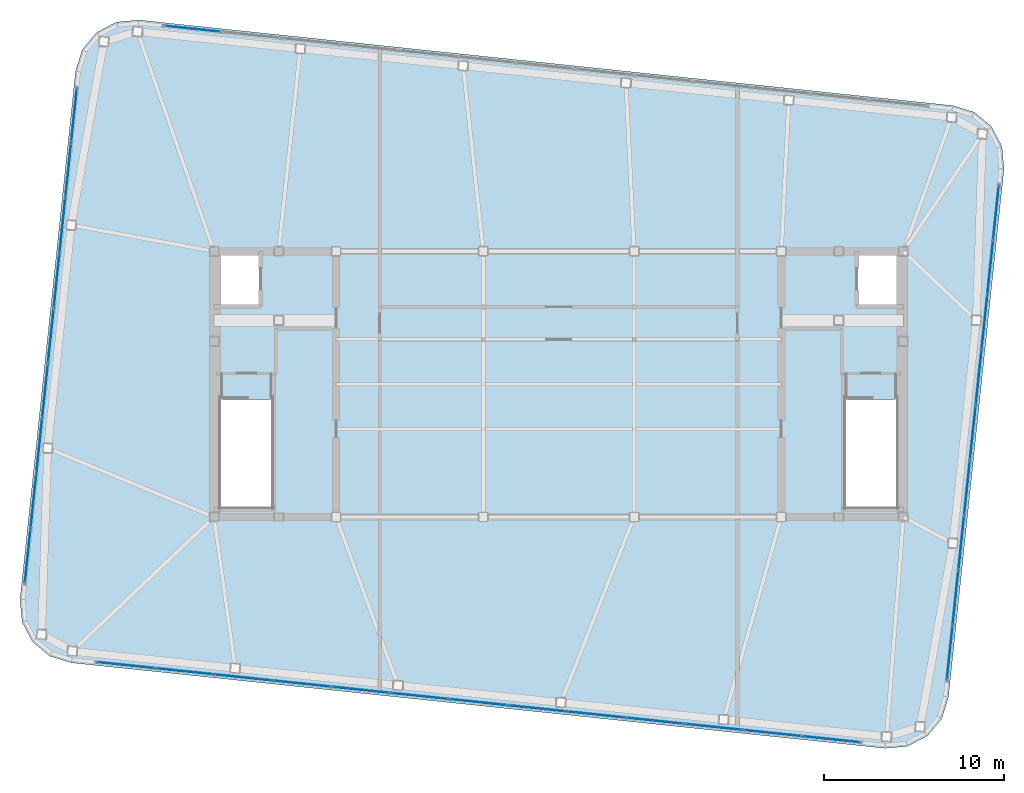
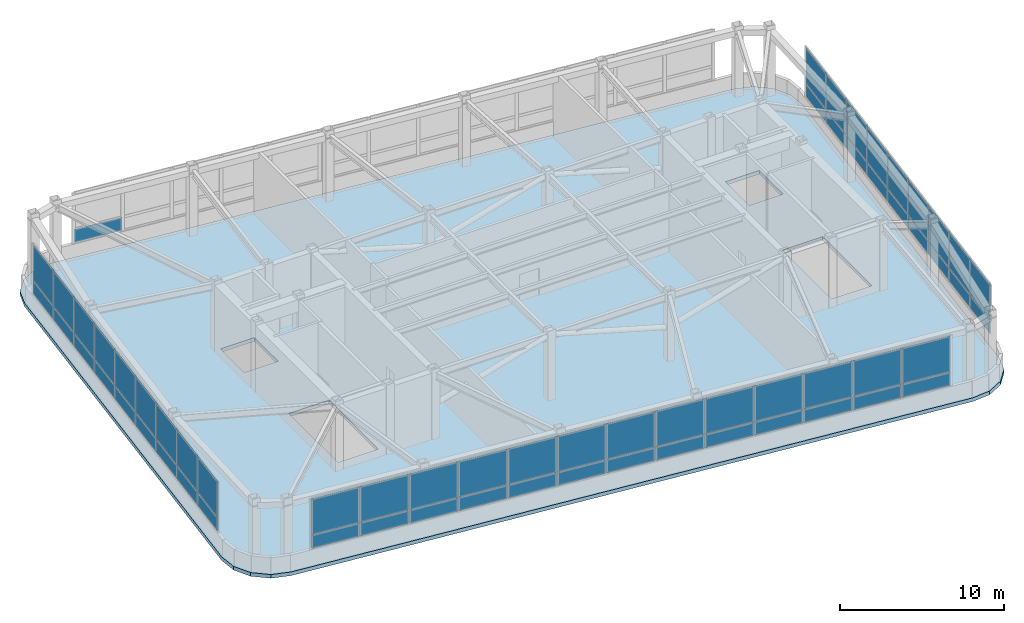
# One storey, part 18 of 21: 63 plates, 1 slab, 4 elements without a shape of their own.
"""IFC4 building model written with IfcOpenShell, lengths in metres."""

from ifc_helpers import new_model, si_unit, direction, frame, origin, origin_2d, place, context, subcontext, project, spatial, polyline, rectangle, outline, extrude, material, layer, layer_set, type_object, element, aggregate, save


model = new_model("IFC4")

# Units and contexts
model_context = context("Model", 3, precision=1e-05, world=origin(), true_north=direction((0.0, 1.0)))
body_context = subcontext(model_context, "Body", "Model", "MODEL_VIEW")
ifc_project = project(units=[si_unit("LENGTHUNIT", "METRE"), si_unit("AREAUNIT", "SQUARE_METRE"), si_unit("VOLUMEUNIT", "CUBIC_METRE"), si_unit("PLANEANGLEUNIT", "RADIAN"), si_unit("MASSUNIT", "GRAM", prefix="KILO")], contexts=[model_context])

# Site, building, storey
site_placement = place(None, origin())
site = spatial("IfcSite", under=ifc_project, at=site_placement, CompositionType="ELEMENT")
building_placement = place(site_placement, origin())
building = spatial("IfcBuilding", under=site, at=building_placement, Name="Voryun Gate Residences", CompositionType="ELEMENT")
storey_placement = place(building_placement, frame((0.0, 0.0, 337.199951171875)))
storey = spatial("IfcBuildingStorey", under=building, at=storey_placement, Name="L82", CompositionType="ELEMENT", Elevation=337.199951171875)

# Curtain wall, plates
ifc_material_1 = material(Name="Anodised aluminium", Category="aluminium")
ifc_layer_1 = layer(ifc_material_1, 0.22998046875, Name="CW_SYS_LANTERN_DARK_GLASS")
ifc_layer_set_1 = layer_set([ifc_layer_1], Name="Anodised aluminium")
curtain_wall_type = type_object("IfcCurtainWallType", Name="CW_SYS_LANTERN_DARK_GLASS", PredefinedType="NOTDEFINED", material=ifc_layer_set_1)
curtain_wall_1_placement = place(storey_placement, origin())
curtain_wall_1 = element("IfcCurtainWall", 1, at=curtain_wall_1_placement, inside=storey, type_object=curtain_wall_type, Name="Curtain wall CW6-L82-01", PredefinedType="NOTDEFINED")
ifc_material_2 = material(Name="Fritted lantern glass", Category="glass")
ifc_layer_2 = layer(ifc_material_2, 0.050048828125, Name="PLT_GLASS_FRIT_LANTERN")
ifc_layer_set_2 = layer_set([ifc_layer_2], Name="Fritted lantern glass")
plate_type = type_object("IfcPlateType", Name="PLT_GLASS_FRIT_LANTERN", PredefinedType="CURTAIN_PANEL", material=ifc_layer_set_2)
plate_1_placement = place(storey_placement, frame((15.18212890625, -19.787109375, 1.25), z_axis=(0.0, 0.0, 1.0), x_axis=(-0.994521969434, 0.10452775858, 0.0)))
plate_1 = element("IfcPlate", 2, at=plate_1_placement, type_object=plate_type, Name="CW6 panel 1.1", PredefinedType="CURTAIN_PANEL", context=body_context, shape_type="SweptSolid", body=[
    extrude(rectangle(XDim=3.20458984375, YDim=0.028076171875, at=origin_2d()), origin(), (0.0, 0.0, 1.0), 0.9599609375),
])
plate_2_placement = place(storey_placement, frame((15.18212890625, -19.787109375, 2.27001953125), z_axis=(0.0, 0.0, 1.0), x_axis=(-0.994521969434, 0.10452775858, 0.0)))
plate_2 = element("IfcPlate", 3, at=plate_2_placement, type_object=plate_type, Name="CW6 panel 1.2", PredefinedType="CURTAIN_PANEL", context=body_context, shape_type="SweptSolid", body=[
    extrude(rectangle(XDim=3.20458984375, YDim=0.028076171875, at=origin_2d()), origin(), (0.0, 0.0, 1.0), 2.6298828125),
])
plate_3_placement = place(storey_placement, frame((11.92041015625, -19.4443359375, 1.25), z_axis=(0.0, 0.0, 1.0), x_axis=(-0.994521969434, 0.10452775858, 0.0)))
plate_3 = element("IfcPlate", 4, at=plate_3_placement, type_object=plate_type, Name="CW6 panel 2.1", PredefinedType="CURTAIN_PANEL", context=body_context, shape_type="SweptSolid", body=[
    extrude(rectangle(XDim=3.234619140625, YDim=0.028076171875, at=origin_2d()), origin(), (0.0, 0.0, 1.0), 0.9599609375),
])
plate_4_placement = place(storey_placement, frame((11.92041015625, -19.4443359375, 2.27001953125), z_axis=(0.0, 0.0, 1.0), x_axis=(-0.994521969434, 0.10452775858, 0.0)))
plate_4 = element("IfcPlate", 5, at=plate_4_placement, type_object=plate_type, Name="CW6 panel 2.2", PredefinedType="CURTAIN_PANEL", context=body_context, shape_type="SweptSolid", body=[
    extrude(rectangle(XDim=3.234619140625, YDim=0.028076171875, at=origin_2d()), origin(), (0.0, 0.0, 1.0), 2.6298828125),
])
plate_5_placement = place(storey_placement, frame((8.643798828125, -19.099853515625, 1.25), z_axis=(0.0, 0.0, 1.0), x_axis=(-0.994521969434, 0.10452775858, 0.0)))
plate_5 = element("IfcPlate", 6, at=plate_5_placement, type_object=plate_type, Name="CW6 panel 3.1", PredefinedType="CURTAIN_PANEL", context=body_context, shape_type="SweptSolid", body=[
    extrude(rectangle(XDim=3.234619140625, YDim=0.028076171875, at=origin_2d()), origin(), (0.0, 0.0, 1.0), 0.9599609375),
])
plate_6_placement = place(storey_placement, frame((8.643798828125, -19.099853515625, 2.27001953125), z_axis=(0.0, 0.0, 1.0), x_axis=(-0.994521969434, 0.10452775858, 0.0)))
plate_6 = element("IfcPlate", 7, at=plate_6_placement, type_object=plate_type, Name="CW6 panel 3.2", PredefinedType="CURTAIN_PANEL", context=body_context, shape_type="SweptSolid", body=[
    extrude(rectangle(XDim=3.234619140625, YDim=0.028076171875, at=origin_2d()), origin(), (0.0, 0.0, 1.0), 2.6298828125),
])
plate_7_placement = place(storey_placement, frame((5.3671875, -18.755615234375, 1.25), z_axis=(0.0, 0.0, 1.0), x_axis=(-0.994521969434, 0.10452775858, 0.0)))
plate_7 = element("IfcPlate", 8, at=plate_7_placement, type_object=plate_type, Name="CW6 panel 4.1", PredefinedType="CURTAIN_PANEL", context=body_context, shape_type="SweptSolid", body=[
    extrude(rectangle(XDim=3.234619140625, YDim=0.028076171875, at=origin_2d()), origin(), (0.0, 0.0, 1.0), 0.9599609375),
])
plate_8_placement = place(storey_placement, frame((5.3671875, -18.755615234375, 2.27001953125), z_axis=(0.0, 0.0, 1.0), x_axis=(-0.994521969434, 0.10452775858, 0.0)))
plate_8 = element("IfcPlate", 9, at=plate_8_placement, type_object=plate_type, Name="CW6 panel 4.2", PredefinedType="CURTAIN_PANEL", context=body_context, shape_type="SweptSolid", body=[
    extrude(rectangle(XDim=3.234619140625, YDim=0.028076171875, at=origin_2d()), origin(), (0.0, 0.0, 1.0), 2.6298828125),
])
plate_9_placement = place(storey_placement, frame((2.090576171875, -18.4111328125, 1.25), z_axis=(0.0, 0.0, 1.0), x_axis=(-0.994521969434, 0.10452775858, 0.0)))
plate_9 = element("IfcPlate", 10, at=plate_9_placement, type_object=plate_type, Name="CW6 panel 5.1", PredefinedType="CURTAIN_PANEL", context=body_context, shape_type="SweptSolid", body=[
    extrude(rectangle(XDim=3.234619140625, YDim=0.028076171875, at=origin_2d()), origin(), (0.0, 0.0, 1.0), 0.9599609375),
])
plate_10_placement = place(storey_placement, frame((2.090576171875, -18.4111328125, 2.27001953125), z_axis=(0.0, 0.0, 1.0), x_axis=(-0.994521969434, 0.10452775858, 0.0)))
plate_10 = element("IfcPlate", 11, at=plate_10_placement, type_object=plate_type, Name="CW6 panel 5.2", PredefinedType="CURTAIN_PANEL", context=body_context, shape_type="SweptSolid", body=[
    extrude(rectangle(XDim=3.234619140625, YDim=0.028076171875, at=origin_2d()), origin(), (0.0, 0.0, 1.0), 2.6298828125),
])
plate_11_placement = place(storey_placement, frame((-1.18603515625, -18.06689453125, 1.25), z_axis=(0.0, 0.0, 1.0), x_axis=(-0.994521969434, 0.10452775858, 0.0)))
plate_11 = element("IfcPlate", 12, at=plate_11_placement, type_object=plate_type, Name="CW6 panel 6.1", PredefinedType="CURTAIN_PANEL", context=body_context, shape_type="SweptSolid", body=[
    extrude(rectangle(XDim=3.234619140625, YDim=0.028076171875, at=origin_2d()), origin(), (0.0, 0.0, 1.0), 0.9599609375),
])
plate_12_placement = place(storey_placement, frame((-1.18603515625, -18.06689453125, 2.27001953125), z_axis=(0.0, 0.0, 1.0), x_axis=(-0.994521969434, 0.10452775858, 0.0)))
plate_12 = element("IfcPlate", 13, at=plate_12_placement, type_object=plate_type, Name="CW6 panel 6.2", PredefinedType="CURTAIN_PANEL", context=body_context, shape_type="SweptSolid", body=[
    extrude(rectangle(XDim=3.234619140625, YDim=0.028076171875, at=origin_2d()), origin(), (0.0, 0.0, 1.0), 2.6298828125),
])
plate_13_placement = place(storey_placement, frame((-4.462646484375, -17.722412109375, 1.25), z_axis=(0.0, 0.0, 1.0), x_axis=(-0.994521969434, 0.10452775858, 0.0)))
plate_13 = element("IfcPlate", 14, at=plate_13_placement, type_object=plate_type, Name="CW6 panel 7.1", PredefinedType="CURTAIN_PANEL", context=body_context, shape_type="SweptSolid", body=[
    extrude(rectangle(XDim=3.234619140625, YDim=0.028076171875, at=origin_2d()), origin(), (0.0, 0.0, 1.0), 0.9599609375),
])
plate_14_placement = place(storey_placement, frame((-4.462646484375, -17.722412109375, 2.27001953125), z_axis=(0.0, 0.0, 1.0), x_axis=(-0.994521969434, 0.10452775858, 0.0)))
plate_14 = element("IfcPlate", 15, at=plate_14_placement, type_object=plate_type, Name="CW6 panel 7.2", PredefinedType="CURTAIN_PANEL", context=body_context, shape_type="SweptSolid", body=[
    extrude(rectangle(XDim=3.234619140625, YDim=0.028076171875, at=origin_2d()), origin(), (0.0, 0.0, 1.0), 2.6298828125),
])
plate_15_placement = place(storey_placement, frame((-7.7392578125, -17.3779296875, 1.25), z_axis=(0.0, 0.0, 1.0), x_axis=(-0.994521969434, 0.10452775858, 0.0)))
plate_15 = element("IfcPlate", 16, at=plate_15_placement, type_object=plate_type, Name="CW6 panel 8.1", PredefinedType="CURTAIN_PANEL", context=body_context, shape_type="SweptSolid", body=[
    extrude(rectangle(XDim=3.234619140625, YDim=0.028076171875, at=origin_2d()), origin(), (0.0, 0.0, 1.0), 0.9599609375),
])
plate_16_placement = place(storey_placement, frame((-7.7392578125, -17.3779296875, 2.27001953125), z_axis=(0.0, 0.0, 1.0), x_axis=(-0.994521969434, 0.10452775858, 0.0)))
plate_16 = element("IfcPlate", 17, at=plate_16_placement, type_object=plate_type, Name="CW6 panel 8.2", PredefinedType="CURTAIN_PANEL", context=body_context, shape_type="SweptSolid", body=[
    extrude(rectangle(XDim=3.234619140625, YDim=0.028076171875, at=origin_2d()), origin(), (0.0, 0.0, 1.0), 2.6298828125),
])
plate_17_placement = place(storey_placement, frame((-11.015869140625, -17.03369140625, 1.25), z_axis=(0.0, 0.0, 1.0), x_axis=(-0.994521969434, 0.10452775858, 0.0)))
plate_17 = element("IfcPlate", 18, at=plate_17_placement, type_object=plate_type, Name="CW6 panel 9.1", PredefinedType="CURTAIN_PANEL", context=body_context, shape_type="SweptSolid", body=[
    extrude(rectangle(XDim=3.234619140625, YDim=0.028076171875, at=origin_2d()), origin(), (0.0, 0.0, 1.0), 0.9599609375),
])
plate_18_placement = place(storey_placement, frame((-11.015869140625, -17.03369140625, 2.27001953125), z_axis=(0.0, 0.0, 1.0), x_axis=(-0.994521969434, 0.10452775858, 0.0)))
plate_18 = element("IfcPlate", 19, at=plate_18_placement, type_object=plate_type, Name="CW6 panel 9.2", PredefinedType="CURTAIN_PANEL", context=body_context, shape_type="SweptSolid", body=[
    extrude(rectangle(XDim=3.234619140625, YDim=0.028076171875, at=origin_2d()), origin(), (0.0, 0.0, 1.0), 2.6298828125),
])
plate_19_placement = place(storey_placement, frame((-14.29248046875, -16.689208984375, 1.25), z_axis=(0.0, 0.0, 1.0), x_axis=(-0.994521969434, 0.10452775858, 0.0)))
plate_19 = element("IfcPlate", 20, at=plate_19_placement, type_object=plate_type, Name="CW6 panel 10.1", PredefinedType="CURTAIN_PANEL", context=body_context, shape_type="SweptSolid", body=[
    extrude(rectangle(XDim=3.234619140625, YDim=0.028076171875, at=origin_2d()), origin(), (0.0, 0.0, 1.0), 0.9599609375),
])
plate_20_placement = place(storey_placement, frame((-14.29248046875, -16.689208984375, 2.27001953125), z_axis=(0.0, 0.0, 1.0), x_axis=(-0.994521969434, 0.10452775858, 0.0)))
plate_20 = element("IfcPlate", 21, at=plate_20_placement, type_object=plate_type, Name="CW6 panel 10.2", PredefinedType="CURTAIN_PANEL", context=body_context, shape_type="SweptSolid", body=[
    extrude(rectangle(XDim=3.234619140625, YDim=0.028076171875, at=origin_2d()), origin(), (0.0, 0.0, 1.0), 2.6298828125),
])
plate_21_placement = place(storey_placement, frame((-17.569091796875, -16.344970703125, 1.25), z_axis=(0.0, 0.0, 1.0), x_axis=(-0.994521969434, 0.10452775858, 0.0)))
plate_21 = element("IfcPlate", 22, at=plate_21_placement, type_object=plate_type, Name="CW6 panel 11.1", PredefinedType="CURTAIN_PANEL", context=body_context, shape_type="SweptSolid", body=[
    extrude(rectangle(XDim=3.234619140625, YDim=0.028076171875, at=origin_2d()), origin(), (0.0, 0.0, 1.0), 0.9599609375),
])
plate_22_placement = place(storey_placement, frame((-17.569091796875, -16.344970703125, 2.27001953125), z_axis=(0.0, 0.0, 1.0), x_axis=(-0.994521969434, 0.10452775858, 0.0)))
plate_22 = element("IfcPlate", 23, at=plate_22_placement, type_object=plate_type, Name="CW6 panel 11.2", PredefinedType="CURTAIN_PANEL", context=body_context, shape_type="SweptSolid", body=[
    extrude(rectangle(XDim=3.234619140625, YDim=0.028076171875, at=origin_2d()), origin(), (0.0, 0.0, 1.0), 2.6298828125),
])
plate_23_placement = place(storey_placement, frame((-20.845703125, -16.00048828125, 1.25), z_axis=(0.0, 0.0, 1.0), x_axis=(-0.994521969434, 0.10452775858, 0.0)))
plate_23 = element("IfcPlate", 24, at=plate_23_placement, type_object=plate_type, Name="CW6 panel 12.1", PredefinedType="CURTAIN_PANEL", context=body_context, shape_type="SweptSolid", body=[
    extrude(rectangle(XDim=3.234619140625, YDim=0.028076171875, at=origin_2d()), origin(), (0.0, 0.0, 1.0), 0.9599609375),
])
plate_24_placement = place(storey_placement, frame((-20.845703125, -16.00048828125, 2.27001953125), z_axis=(0.0, 0.0, 1.0), x_axis=(-0.994521969434, 0.10452775858, 0.0)))
plate_24 = element("IfcPlate", 25, at=plate_24_placement, type_object=plate_type, Name="CW6 panel 12.2", PredefinedType="CURTAIN_PANEL", context=body_context, shape_type="SweptSolid", body=[
    extrude(rectangle(XDim=3.234619140625, YDim=0.028076171875, at=origin_2d()), origin(), (0.0, 0.0, 1.0), 2.6298828125),
])
plate_25_placement = place(storey_placement, frame((-24.107421875, -15.65771484375, 1.25), z_axis=(0.0, 0.0, 1.0), x_axis=(-0.994521969434, 0.10452775858, 0.0)))
plate_25 = element("IfcPlate", 26, at=plate_25_placement, type_object=plate_type, Name="CW6 panel 13.1", PredefinedType="CURTAIN_PANEL", context=body_context, shape_type="SweptSolid", body=[
    extrude(rectangle(XDim=3.20458984375, YDim=0.028076171875, at=origin_2d()), origin(), (0.0, 0.0, 1.0), 0.9599609375),
])
plate_26_placement = place(storey_placement, frame((-24.107421875, -15.65771484375, 2.27001953125), z_axis=(0.0, 0.0, 1.0), x_axis=(-0.994521969434, 0.10452775858, 0.0)))
plate_26 = element("IfcPlate", 27, at=plate_26_placement, type_object=plate_type, Name="CW6 panel 13.2", PredefinedType="CURTAIN_PANEL", context=body_context, shape_type="SweptSolid", body=[
    extrude(rectangle(XDim=3.20458984375, YDim=0.028076171875, at=origin_2d()), origin(), (0.0, 0.0, 1.0), 2.6298828125),
])
aggregate(curtain_wall_1, [plate_1, plate_2, plate_3, plate_4, plate_5, plate_6, plate_7, plate_8, plate_9, plate_10, plate_11, plate_12, plate_13, plate_14, plate_15, plate_16, plate_17, plate_18, plate_19, plate_20, plate_21, plate_22, plate_23, plate_24, plate_25, plate_26])

curtain_wall_2_placement = place(storey_placement, origin())
curtain_wall_2 = element("IfcCurtainWall", 28, at=curtain_wall_2_placement, inside=storey, type_object=curtain_wall_type, Name="Curtain wall CW6-L82-06", PredefinedType="NOTDEFINED")
plate_27_placement = place(storey_placement, frame((-29.568115234375, -9.56982421875, 1.25), z_axis=(0.0, 0.0, 1.0), x_axis=(0.104528004296, 0.994521943608, 0.0)))
plate_27 = element("IfcPlate", 29, at=plate_27_placement, type_object=plate_type, Name="CW6 panel 1.1", PredefinedType="CURTAIN_PANEL", context=body_context, shape_type="SweptSolid", body=[
    extrude(rectangle(XDim=2.997802734375, YDim=0.028076171875, at=origin_2d()), origin(), (0.0, 0.0, 1.0), 0.9599609375),
])
plate_28_placement = place(storey_placement, frame((-29.568115234375, -9.56982421875, 2.27001953125), z_axis=(0.0, 0.0, 1.0), x_axis=(0.104528004296, 0.994521943608, 0.0)))
plate_28 = element("IfcPlate", 30, at=plate_28_placement, type_object=plate_type, Name="CW6 panel 1.2", PredefinedType="CURTAIN_PANEL", context=body_context, shape_type="SweptSolid", body=[
    extrude(rectangle(XDim=2.997802734375, YDim=0.028076171875, at=origin_2d()), origin(), (0.0, 0.0, 1.0), 2.6298828125),
])
plate_29_placement = place(storey_placement, frame((-29.246826171875, -6.513916015625, 1.25), z_axis=(0.0, 0.0, 1.0), x_axis=(0.104528004296, 0.994521943608, 0.0)))
plate_29 = element("IfcPlate", 31, at=plate_29_placement, type_object=plate_type, Name="CW6 panel 2.1", PredefinedType="CURTAIN_PANEL", context=body_context, shape_type="SweptSolid", body=[
    extrude(rectangle(XDim=3.02783203125, YDim=0.028076171875, at=origin_2d()), origin(), (0.0, 0.0, 1.0), 0.9599609375),
])
plate_30_placement = place(storey_placement, frame((-29.246826171875, -6.513916015625, 2.27001953125), z_axis=(0.0, 0.0, 1.0), x_axis=(0.104528004296, 0.994521943608, 0.0)))
plate_30 = element("IfcPlate", 32, at=plate_30_placement, type_object=plate_type, Name="CW6 panel 2.2", PredefinedType="CURTAIN_PANEL", context=body_context, shape_type="SweptSolid", body=[
    extrude(rectangle(XDim=3.02783203125, YDim=0.028076171875, at=origin_2d()), origin(), (0.0, 0.0, 1.0), 2.6298828125),
])
plate_31_placement = place(storey_placement, frame((-28.924072265625, -3.44287109375, 1.25), z_axis=(0.0, 0.0, 1.0), x_axis=(0.104528004296, 0.994521943608, 0.0)))
plate_31 = element("IfcPlate", 33, at=plate_31_placement, type_object=plate_type, Name="CW6 panel 3.1", PredefinedType="CURTAIN_PANEL", context=body_context, shape_type="SweptSolid", body=[
    extrude(rectangle(XDim=3.02783203125, YDim=0.028076171875, at=origin_2d()), origin(), (0.0, 0.0, 1.0), 0.9599609375),
])
plate_32_placement = place(storey_placement, frame((-28.924072265625, -3.44287109375, 2.27001953125), z_axis=(0.0, 0.0, 1.0), x_axis=(0.104528004296, 0.994521943608, 0.0)))
plate_32 = element("IfcPlate", 34, at=plate_32_placement, type_object=plate_type, Name="CW6 panel 3.2", PredefinedType="CURTAIN_PANEL", context=body_context, shape_type="SweptSolid", body=[
    extrude(rectangle(XDim=3.02783203125, YDim=0.028076171875, at=origin_2d()), origin(), (0.0, 0.0, 1.0), 2.6298828125),
])
plate_33_placement = place(storey_placement, frame((-28.601318359375, -0.3720703125, 1.25), z_axis=(0.0, 0.0, 1.0), x_axis=(0.104528004296, 0.994521943608, 0.0)))
plate_33 = element("IfcPlate", 35, at=plate_33_placement, type_object=plate_type, Name="CW6 panel 4.1", PredefinedType="CURTAIN_PANEL", context=body_context, shape_type="SweptSolid", body=[
    extrude(rectangle(XDim=3.02783203125, YDim=0.028076171875, at=origin_2d()), origin(), (0.0, 0.0, 1.0), 0.9599609375),
])
plate_34_placement = place(storey_placement, frame((-28.601318359375, -0.3720703125, 2.27001953125), z_axis=(0.0, 0.0, 1.0), x_axis=(0.104528004296, 0.994521943608, 0.0)))
plate_34 = element("IfcPlate", 36, at=plate_34_placement, type_object=plate_type, Name="CW6 panel 4.2", PredefinedType="CURTAIN_PANEL", context=body_context, shape_type="SweptSolid", body=[
    extrude(rectangle(XDim=3.02783203125, YDim=0.028076171875, at=origin_2d()), origin(), (0.0, 0.0, 1.0), 2.6298828125),
])
plate_35_placement = place(storey_placement, frame((-28.278564453125, 2.698974609375, 1.25), z_axis=(0.0, 0.0, 1.0), x_axis=(0.104528004296, 0.994521943608, 0.0)))
plate_35 = element("IfcPlate", 37, at=plate_35_placement, type_object=plate_type, Name="CW6 panel 5.1", PredefinedType="CURTAIN_PANEL", context=body_context, shape_type="SweptSolid", body=[
    extrude(rectangle(XDim=3.02783203125, YDim=0.028076171875, at=origin_2d()), origin(), (0.0, 0.0, 1.0), 0.9599609375),
])
plate_36_placement = place(storey_placement, frame((-28.278564453125, 2.698974609375, 2.27001953125), z_axis=(0.0, 0.0, 1.0), x_axis=(0.104528004296, 0.994521943608, 0.0)))
plate_36 = element("IfcPlate", 38, at=plate_36_placement, type_object=plate_type, Name="CW6 panel 5.2", PredefinedType="CURTAIN_PANEL", context=body_context, shape_type="SweptSolid", body=[
    extrude(rectangle(XDim=3.02783203125, YDim=0.028076171875, at=origin_2d()), origin(), (0.0, 0.0, 1.0), 2.6298828125),
])
plate_37_placement = place(storey_placement, frame((-27.955810546875, 5.769775390625, 1.25), z_axis=(0.0, 0.0, 1.0), x_axis=(0.104528004296, 0.994521943608, 0.0)))
plate_37 = element("IfcPlate", 39, at=plate_37_placement, type_object=plate_type, Name="CW6 panel 6.1", PredefinedType="CURTAIN_PANEL", context=body_context, shape_type="SweptSolid", body=[
    extrude(rectangle(XDim=3.02783203125, YDim=0.028076171875, at=origin_2d()), origin(), (0.0, 0.0, 1.0), 0.9599609375),
])
plate_38_placement = place(storey_placement, frame((-27.955810546875, 5.769775390625, 2.27001953125), z_axis=(0.0, 0.0, 1.0), x_axis=(0.104528004296, 0.994521943608, 0.0)))
plate_38 = element("IfcPlate", 40, at=plate_38_placement, type_object=plate_type, Name="CW6 panel 6.2", PredefinedType="CURTAIN_PANEL", context=body_context, shape_type="SweptSolid", body=[
    extrude(rectangle(XDim=3.02783203125, YDim=0.028076171875, at=origin_2d()), origin(), (0.0, 0.0, 1.0), 2.6298828125),
])
plate_39_placement = place(storey_placement, frame((-27.633056640625, 8.8408203125, 1.25), z_axis=(0.0, 0.0, 1.0), x_axis=(0.104528004296, 0.994521943608, 0.0)))
plate_39 = element("IfcPlate", 41, at=plate_39_placement, type_object=plate_type, Name="CW6 panel 7.1", PredefinedType="CURTAIN_PANEL", context=body_context, shape_type="SweptSolid", body=[
    extrude(rectangle(XDim=3.02783203125, YDim=0.028076171875, at=origin_2d()), origin(), (0.0, 0.0, 1.0), 0.9599609375),
])
plate_40_placement = place(storey_placement, frame((-27.633056640625, 8.8408203125, 2.27001953125), z_axis=(0.0, 0.0, 1.0), x_axis=(0.104528004296, 0.994521943608, 0.0)))
plate_40 = element("IfcPlate", 42, at=plate_40_placement, type_object=plate_type, Name="CW6 panel 7.2", PredefinedType="CURTAIN_PANEL", context=body_context, shape_type="SweptSolid", body=[
    extrude(rectangle(XDim=3.02783203125, YDim=0.028076171875, at=origin_2d()), origin(), (0.0, 0.0, 1.0), 2.6298828125),
])
plate_41_placement = place(storey_placement, frame((-27.310302734375, 11.91162109375, 1.25), z_axis=(0.0, 0.0, 1.0), x_axis=(0.104528004296, 0.994521943608, 0.0)))
plate_41 = element("IfcPlate", 43, at=plate_41_placement, type_object=plate_type, Name="CW6 panel 8.1", PredefinedType="CURTAIN_PANEL", context=body_context, shape_type="SweptSolid", body=[
    extrude(rectangle(XDim=3.02783203125, YDim=0.028076171875, at=origin_2d()), origin(), (0.0, 0.0, 1.0), 0.9599609375),
])
plate_42_placement = place(storey_placement, frame((-27.310302734375, 11.91162109375, 2.27001953125), z_axis=(0.0, 0.0, 1.0), x_axis=(0.104528004296, 0.994521943608, 0.0)))
plate_42 = element("IfcPlate", 44, at=plate_42_placement, type_object=plate_type, Name="CW6 panel 8.2", PredefinedType="CURTAIN_PANEL", context=body_context, shape_type="SweptSolid", body=[
    extrude(rectangle(XDim=3.02783203125, YDim=0.028076171875, at=origin_2d()), origin(), (0.0, 0.0, 1.0), 2.6298828125),
])
plate_43_placement = place(storey_placement, frame((-26.989013671875, 14.9677734375, 1.25), z_axis=(0.0, 0.0, 1.0), x_axis=(0.104528004296, 0.994521943608, 0.0)))
plate_43 = element("IfcPlate", 45, at=plate_43_placement, type_object=plate_type, Name="CW6 panel 9.1", PredefinedType="CURTAIN_PANEL", context=body_context, shape_type="SweptSolid", body=[
    extrude(rectangle(XDim=2.997802734375, YDim=0.028076171875, at=origin_2d()), origin(), (0.0, 0.0, 1.0), 0.9599609375),
])
plate_44_placement = place(storey_placement, frame((-26.989013671875, 14.9677734375, 2.27001953125), z_axis=(0.0, 0.0, 1.0), x_axis=(0.104528004296, 0.994521943608, 0.0)))
plate_44 = element("IfcPlate", 46, at=plate_44_placement, type_object=plate_type, Name="CW6 panel 9.2", PredefinedType="CURTAIN_PANEL", context=body_context, shape_type="SweptSolid", body=[
    extrude(rectangle(XDim=2.997802734375, YDim=0.028076171875, at=origin_2d()), origin(), (0.0, 0.0, 1.0), 2.6298828125),
])
aggregate(curtain_wall_2, [plate_27, plate_28, plate_29, plate_30, plate_31, plate_32, plate_33, plate_34, plate_35, plate_36, plate_37, plate_38, plate_39, plate_40, plate_41, plate_42, plate_43, plate_44])

# Curtain wall, plate
curtain_wall_3_placement = place(storey_placement, origin())
curtain_wall_3 = element("IfcCurtainWall", 47, at=curtain_wall_3_placement, inside=storey, type_object=curtain_wall_type, Name="Curtain wall CW6-L82-11", PredefinedType="NOTDEFINED")
plate_45_placement = place(storey_placement, frame((-20.382080078125, 19.787109375, 1.25), z_axis=(0.0, 0.0, 1.0), x_axis=(0.994521969434, -0.10452775858, 0.0)))
plate_45 = element("IfcPlate", 48, at=plate_45_placement, type_object=plate_type, Name="CW6 panel 1.1", PredefinedType="CURTAIN_PANEL", context=body_context, shape_type="SweptSolid", body=[
    extrude(rectangle(XDim=3.20458984375, YDim=0.028076171875, at=origin_2d()), origin(), (0.0, 0.0, 1.0), 0.9599609375),
])
aggregate(curtain_wall_3, [plate_45])

# Curtain wall, plates
curtain_wall_4_placement = place(storey_placement, origin())
curtain_wall_4 = element("IfcCurtainWall", 49, at=curtain_wall_4_placement, inside=storey, type_object=curtain_wall_type, Name="Curtain wall CW6-L82-16", PredefinedType="NOTDEFINED")
plate_46_placement = place(storey_placement, frame((24.3681640625, 9.56982421875, 1.25), z_axis=(0.0, 0.0, 1.0), x_axis=(-0.104528004296, -0.994521943608, 0.0)))
plate_46 = element("IfcPlate", 50, at=plate_46_placement, type_object=plate_type, Name="CW6 panel 1.1", PredefinedType="CURTAIN_PANEL", context=body_context, shape_type="SweptSolid", body=[
    extrude(rectangle(XDim=2.997802734375, YDim=0.028076171875, at=origin_2d()), origin(), (0.0, 0.0, 1.0), 0.9599609375),
])
plate_47_placement = place(storey_placement, frame((24.3681640625, 9.56982421875, 2.27001953125), z_axis=(0.0, 0.0, 1.0), x_axis=(-0.104528004296, -0.994521943608, 0.0)))
plate_47 = element("IfcPlate", 51, at=plate_47_placement, type_object=plate_type, Name="CW6 panel 1.2", PredefinedType="CURTAIN_PANEL", context=body_context, shape_type="SweptSolid", body=[
    extrude(rectangle(XDim=2.997802734375, YDim=0.028076171875, at=origin_2d()), origin(), (0.0, 0.0, 1.0), 2.6298828125),
])
plate_48_placement = place(storey_placement, frame((24.046875, 6.513916015625, 1.25), z_axis=(0.0, 0.0, 1.0), x_axis=(-0.104528004296, -0.994521943608, 0.0)))
plate_48 = element("IfcPlate", 52, at=plate_48_placement, type_object=plate_type, Name="CW6 panel 2.1", PredefinedType="CURTAIN_PANEL", context=body_context, shape_type="SweptSolid", body=[
    extrude(rectangle(XDim=3.02783203125, YDim=0.028076171875, at=origin_2d()), origin(), (0.0, 0.0, 1.0), 0.9599609375),
])
plate_49_placement = place(storey_placement, frame((24.046875, 6.513916015625, 2.27001953125), z_axis=(0.0, 0.0, 1.0), x_axis=(-0.104528004296, -0.994521943608, 0.0)))
plate_49 = element("IfcPlate", 53, at=plate_49_placement, type_object=plate_type, Name="CW6 panel 2.2", PredefinedType="CURTAIN_PANEL", context=body_context, shape_type="SweptSolid", body=[
    extrude(rectangle(XDim=3.02783203125, YDim=0.028076171875, at=origin_2d()), origin(), (0.0, 0.0, 1.0), 2.6298828125),
])
plate_50_placement = place(storey_placement, frame((23.72412109375, 3.44287109375, 1.25), z_axis=(0.0, 0.0, 1.0), x_axis=(-0.104528004296, -0.994521943608, 0.0)))
plate_50 = element("IfcPlate", 54, at=plate_50_placement, type_object=plate_type, Name="CW6 panel 3.1", PredefinedType="CURTAIN_PANEL", context=body_context, shape_type="SweptSolid", body=[
    extrude(rectangle(XDim=3.02783203125, YDim=0.028076171875, at=origin_2d()), origin(), (0.0, 0.0, 1.0), 0.9599609375),
])
plate_51_placement = place(storey_placement, frame((23.72412109375, 3.44287109375, 2.27001953125), z_axis=(0.0, 0.0, 1.0), x_axis=(-0.104528004296, -0.994521943608, 0.0)))
plate_51 = element("IfcPlate", 55, at=plate_51_placement, type_object=plate_type, Name="CW6 panel 3.2", PredefinedType="CURTAIN_PANEL", context=body_context, shape_type="SweptSolid", body=[
    extrude(rectangle(XDim=3.02783203125, YDim=0.028076171875, at=origin_2d()), origin(), (0.0, 0.0, 1.0), 2.6298828125),
])
plate_52_placement = place(storey_placement, frame((23.4013671875, 0.3720703125, 1.25), z_axis=(0.0, 0.0, 1.0), x_axis=(-0.104528004296, -0.994521943608, 0.0)))
plate_52 = element("IfcPlate", 56, at=plate_52_placement, type_object=plate_type, Name="CW6 panel 4.1", PredefinedType="CURTAIN_PANEL", context=body_context, shape_type="SweptSolid", body=[
    extrude(rectangle(XDim=3.02783203125, YDim=0.028076171875, at=origin_2d()), origin(), (0.0, 0.0, 1.0), 0.9599609375),
])
plate_53_placement = place(storey_placement, frame((23.4013671875, 0.3720703125, 2.27001953125), z_axis=(0.0, 0.0, 1.0), x_axis=(-0.104528004296, -0.994521943608, 0.0)))
plate_53 = element("IfcPlate", 57, at=plate_53_placement, type_object=plate_type, Name="CW6 panel 4.2", PredefinedType="CURTAIN_PANEL", context=body_context, shape_type="SweptSolid", body=[
    extrude(rectangle(XDim=3.02783203125, YDim=0.028076171875, at=origin_2d()), origin(), (0.0, 0.0, 1.0), 2.6298828125),
])
plate_54_placement = place(storey_placement, frame((23.07861328125, -2.698974609375, 1.25), z_axis=(0.0, 0.0, 1.0), x_axis=(-0.104528004296, -0.994521943608, 0.0)))
plate_54 = element("IfcPlate", 58, at=plate_54_placement, type_object=plate_type, Name="CW6 panel 5.1", PredefinedType="CURTAIN_PANEL", context=body_context, shape_type="SweptSolid", body=[
    extrude(rectangle(XDim=3.02783203125, YDim=0.028076171875, at=origin_2d()), origin(), (0.0, 0.0, 1.0), 0.9599609375),
])
plate_55_placement = place(storey_placement, frame((23.07861328125, -2.698974609375, 2.27001953125), z_axis=(0.0, 0.0, 1.0), x_axis=(-0.104528004296, -0.994521943608, 0.0)))
plate_55 = element("IfcPlate", 59, at=plate_55_placement, type_object=plate_type, Name="CW6 panel 5.2", PredefinedType="CURTAIN_PANEL", context=body_context, shape_type="SweptSolid", body=[
    extrude(rectangle(XDim=3.02783203125, YDim=0.028076171875, at=origin_2d()), origin(), (0.0, 0.0, 1.0), 2.6298828125),
])
plate_56_placement = place(storey_placement, frame((22.755859375, -5.769775390625, 1.25), z_axis=(0.0, 0.0, 1.0), x_axis=(-0.104528004296, -0.994521943608, 0.0)))
plate_56 = element("IfcPlate", 60, at=plate_56_placement, type_object=plate_type, Name="CW6 panel 6.1", PredefinedType="CURTAIN_PANEL", context=body_context, shape_type="SweptSolid", body=[
    extrude(rectangle(XDim=3.02783203125, YDim=0.028076171875, at=origin_2d()), origin(), (0.0, 0.0, 1.0), 0.9599609375),
])
plate_57_placement = place(storey_placement, frame((22.755859375, -5.769775390625, 2.27001953125), z_axis=(0.0, 0.0, 1.0), x_axis=(-0.104528004296, -0.994521943608, 0.0)))
plate_57 = element("IfcPlate", 61, at=plate_57_placement, type_object=plate_type, Name="CW6 panel 6.2", PredefinedType="CURTAIN_PANEL", context=body_context, shape_type="SweptSolid", body=[
    extrude(rectangle(XDim=3.02783203125, YDim=0.028076171875, at=origin_2d()), origin(), (0.0, 0.0, 1.0), 2.6298828125),
])
plate_58_placement = place(storey_placement, frame((22.43310546875, -8.8408203125, 1.25), z_axis=(0.0, 0.0, 1.0), x_axis=(-0.104528004296, -0.994521943608, 0.0)))
plate_58 = element("IfcPlate", 62, at=plate_58_placement, type_object=plate_type, Name="CW6 panel 7.1", PredefinedType="CURTAIN_PANEL", context=body_context, shape_type="SweptSolid", body=[
    extrude(rectangle(XDim=3.02783203125, YDim=0.028076171875, at=origin_2d()), origin(), (0.0, 0.0, 1.0), 0.9599609375),
])
plate_59_placement = place(storey_placement, frame((22.43310546875, -8.8408203125, 2.27001953125), z_axis=(0.0, 0.0, 1.0), x_axis=(-0.104528004296, -0.994521943608, 0.0)))
plate_59 = element("IfcPlate", 63, at=plate_59_placement, type_object=plate_type, Name="CW6 panel 7.2", PredefinedType="CURTAIN_PANEL", context=body_context, shape_type="SweptSolid", body=[
    extrude(rectangle(XDim=3.02783203125, YDim=0.028076171875, at=origin_2d()), origin(), (0.0, 0.0, 1.0), 2.6298828125),
])
plate_60_placement = place(storey_placement, frame((22.1103515625, -11.91162109375, 1.25), z_axis=(0.0, 0.0, 1.0), x_axis=(-0.104528004296, -0.994521943608, 0.0)))
plate_60 = element("IfcPlate", 64, at=plate_60_placement, type_object=plate_type, Name="CW6 panel 8.1", PredefinedType="CURTAIN_PANEL", context=body_context, shape_type="SweptSolid", body=[
    extrude(rectangle(XDim=3.02783203125, YDim=0.028076171875, at=origin_2d()), origin(), (0.0, 0.0, 1.0), 0.9599609375),
])
plate_61_placement = place(storey_placement, frame((22.1103515625, -11.91162109375, 2.27001953125), z_axis=(0.0, 0.0, 1.0), x_axis=(-0.104528004296, -0.994521943608, 0.0)))
plate_61 = element("IfcPlate", 65, at=plate_61_placement, type_object=plate_type, Name="CW6 panel 8.2", PredefinedType="CURTAIN_PANEL", context=body_context, shape_type="SweptSolid", body=[
    extrude(rectangle(XDim=3.02783203125, YDim=0.028076171875, at=origin_2d()), origin(), (0.0, 0.0, 1.0), 2.6298828125),
])
plate_62_placement = place(storey_placement, frame((21.7890625, -14.9677734375, 1.25), z_axis=(0.0, 0.0, 1.0), x_axis=(-0.104528004296, -0.994521943608, 0.0)))
plate_62 = element("IfcPlate", 66, at=plate_62_placement, type_object=plate_type, Name="CW6 panel 9.1", PredefinedType="CURTAIN_PANEL", context=body_context, shape_type="SweptSolid", body=[
    extrude(rectangle(XDim=2.997802734375, YDim=0.028076171875, at=origin_2d()), origin(), (0.0, 0.0, 1.0), 0.9599609375),
])
plate_63_placement = place(storey_placement, frame((21.7890625, -14.9677734375, 2.27001953125), z_axis=(0.0, 0.0, 1.0), x_axis=(-0.104528004296, -0.994521943608, 0.0)))
plate_63 = element("IfcPlate", 67, at=plate_63_placement, type_object=plate_type, Name="CW6 panel 9.2", PredefinedType="CURTAIN_PANEL", context=body_context, shape_type="SweptSolid", body=[
    extrude(rectangle(XDim=2.997802734375, YDim=0.028076171875, at=origin_2d()), origin(), (0.0, 0.0, 1.0), 2.6298828125),
])
aggregate(curtain_wall_4, [plate_46, plate_47, plate_48, plate_49, plate_50, plate_51, plate_52, plate_53, plate_54, plate_55, plate_56, plate_57, plate_58, plate_59, plate_60, plate_61, plate_62, plate_63])

# Slab
ifc_material_3 = material(Name="Concrete C50/60", Category="concrete")
ifc_layer_3 = layer(ifc_material_3, 0.27490234375, Name="SLB_CROWN_275")
ifc_layer_set_3 = layer_set([ifc_layer_3], Name="Concrete C50/60")
slab_type = type_object("IfcSlabType", Name="SLB_CROWN_275", PredefinedType="FLOOR", material=ifc_layer_set_3)
slab_placement = place(storey_placement, frame((0.0, 0.0, -0.27490234375)))
element("IfcSlab", 68, at=slab_placement, inside=storey, type_object=slab_type, Name="L82 Structural Floor Slab", PredefinedType="FLOOR", context=body_context, shape_type="SweptSolid", body=[
    extrude(outline(polyline([(-27.156494140625, -15.51806640625), (-28.34912109375, -15.14794921875), (-29.30908203125, -14.349609375), (-29.890380859375, -13.24462890625), (-30.004638671875, -12.001220703125), (-26.91064453125, 17.436767578125), (-26.540283203125, 18.629150390625), (-25.741943359375, 19.589111328125), (-24.636962890625, 20.17041015625), (-23.3935546875, 20.28466796875), (21.95654296875, 15.51806640625), (23.14892578125, 15.14794921875), (24.10888671875, 14.349609375), (24.6904296875, 13.24462890625), (24.8046875, 12.001220703125), (21.71044921875, -17.436767578125), (21.34033203125, -18.629150390625), (20.5419921875, -19.589111328125), (19.43701171875, -20.17041015625), (18.193603515625, -20.28466796875), (-27.156494140625, -15.51806640625)]), holes=[polyline([(-15.97509765625, -0.840087890625), (-18.824951171875, -0.840087890625), (-18.824951171875, -6.85009765625), (-15.97509765625, -6.85009765625), (-15.97509765625, -0.840087890625)]), polyline([(18.824951171875, -0.840087890625), (15.97509765625, -0.840087890625), (15.97509765625, -6.85009765625), (18.824951171875, -6.85009765625), (18.824951171875, -0.840087890625)]), polyline([(-19.0, 7.199951171875), (-19.0, 4.300048828125), (-16.60009765625, 4.300048828125), (-16.60009765625, 7.199951171875), (-19.0, 7.199951171875)]), polyline([(16.60009765625, 7.199951171875), (16.60009765625, 4.300048828125), (19.0, 4.300048828125), (19.0, 7.199951171875), (16.60009765625, 7.199951171875)])]), origin(), (0.0, 0.0, 1.0), 0.27490234375),
])

save(model, "model.ifc")
